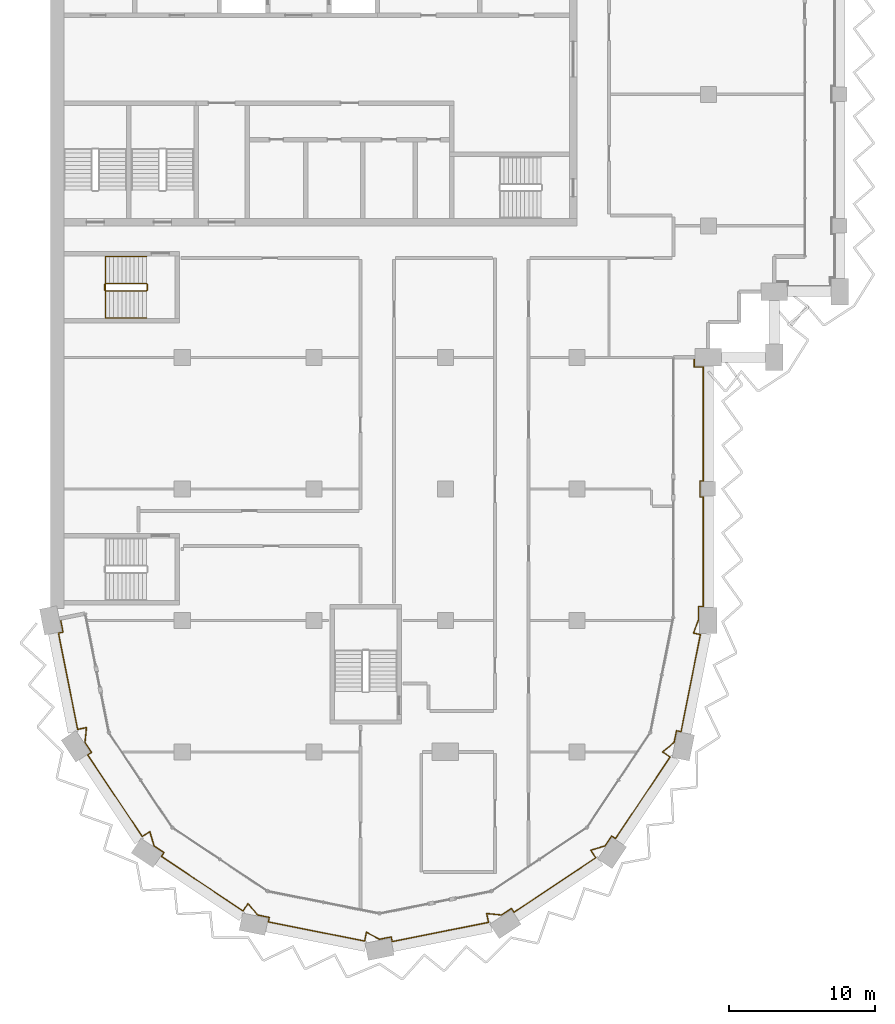
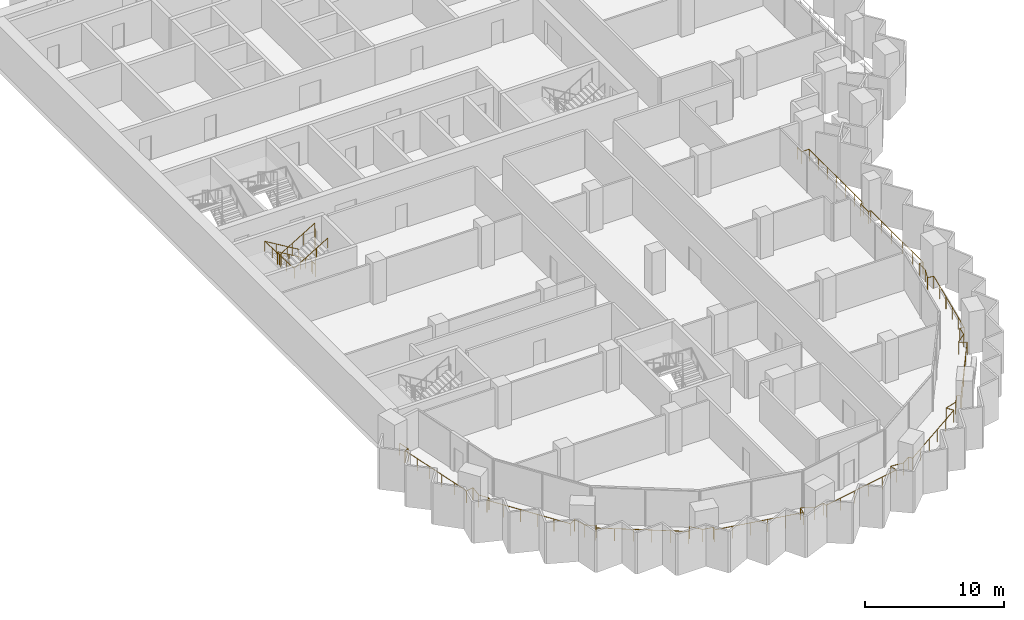
# One storey, part 15 of 17: 3 railings.
"""IFC4 building model written with IfcOpenShell, lengths in metres."""

from ifc_helpers import new_model, si_unit, direction, frame, origin, origin_2d, place, context, subcontext, project, spatial, circle, extrude, material, type_object, element, save


model = new_model("IFC4")

# Units and contexts
model_context = context("Model", 3, precision=1e-05, world=origin(), true_north=direction((0.0, 1.0)))
body_context = subcontext(model_context, "Body", "Model", "MODEL_VIEW")
ifc_project = project(units=[si_unit("LENGTHUNIT", "METRE"), si_unit("AREAUNIT", "SQUARE_METRE"), si_unit("VOLUMEUNIT", "CUBIC_METRE"), si_unit("PLANEANGLEUNIT", "RADIAN"), si_unit("MASSUNIT", "GRAM", prefix="KILO")], contexts=[model_context])

# Site, building, storey
site_placement = place(None, origin())
site = spatial("IfcSite", under=ifc_project, at=site_placement, CompositionType="ELEMENT")
building_placement = place(site_placement, origin())
building = spatial("IfcBuilding", under=site, at=building_placement, Name="Hunhe Ridgeline Campus", CompositionType="ELEMENT")
storey_placement = place(building_placement, frame((0.0, 0.0, 205.0)))
storey = spatial("IfcBuildingStorey", under=building, at=storey_placement, Name="L52", CompositionType="ELEMENT", Elevation=205.0)

# Railings
ifc_material_1 = material(Name="Steel Q355", Category="steel")
railing_type_1 = type_object("IfcRailingType", Name="Loggia guard 1100 Steel Q355", PredefinedType="GUARDRAIL", material=ifc_material_1)
railing_1_placement = place(storey_placement, frame((0.6572265625, 36.130615234375, 0.0)))
element("IfcRailing", 1, at=railing_1_placement, inside=storey, type_object=railing_type_1, Name="Loggia guard 1", PredefinedType="GUARDRAIL", context=body_context, shape_type="SweptSolid", body=[
    extrude(circle(Radius=0.02392578125, at=origin_2d()), frame((0.0, 0.0, 1.076171875), z_axis=(0.195078060519, -0.980787719287, 0.0), x_axis=(0.980787719287, 0.195078060519, 0.0)), (0.0, 0.0, 1.0), 0.949951171875),
    extrude(circle(Radius=0.02392578125, at=origin_2d()), frame((0.185302734375, -0.931640625, 1.076171875), z_axis=(-0.980756274917, -0.195236085831, 0.0), x_axis=(0.195236085831, -0.980756274917, 0.0)), (0.0, 0.0, 1.0), 0.320068359375),
    extrude(circle(Radius=0.02392578125, at=origin_2d()), frame((-0.128662109375, -0.994140625, 1.076171875), z_axis=(0.195081688297, -0.980786997717, 0.0), x_axis=(0.980786997717, 0.195081688297, 0.0)), (0.0, 0.0, 1.0), 6.718017578125),
    extrude(circle(Radius=0.02392578125, at=origin_2d()), frame((1.181884765625, -7.5830078125, 1.076171875), z_axis=(0.980747227858, 0.195281527671, 0.0), x_axis=(-0.195281527671, 0.980747227858, 0.0)), (0.0, 0.0, 1.0), 0.618896484375),
    extrude(circle(Radius=0.02392578125, at=origin_2d()), frame((1.788818359375, -7.462158203125, 1.076171875), z_axis=(-0.100047453171, -0.99498266674, 0.0), x_axis=(0.99498266674, -0.100047453171, 0.0)), (0.0, 0.0, 1.0), 1.0224609375),
    extrude(circle(Radius=0.02392578125, at=origin_2d()), frame((1.6865234375, -8.4794921875, 1.076171875), z_axis=(0.555596479569, -0.83145207432, 0.0), x_axis=(0.83145207432, 0.555596479569, 0.0)), (0.0, 0.0, 1.0), 0.81689453125),
    extrude(circle(Radius=0.02392578125, at=origin_2d()), frame((2.140380859375, -9.15869140625, 1.076171875), z_axis=(-0.831580508376, -0.555404229448, 0.0), x_axis=(0.555404229448, -0.831580508376, 0.0)), (0.0, 0.0, 1.0), 0.320068359375),
    extrude(circle(Radius=0.02392578125, at=origin_2d()), frame((1.874267578125, -9.33642578125, 1.076171875), z_axis=(0.555588848626, -0.831457173451, 0.0), x_axis=(0.831457173451, 0.555588848626, 0.0)), (0.0, 0.0, 1.0), 6.718017578125),
    extrude(circle(Radius=0.02392578125, at=origin_2d()), frame((5.606689453125, -14.922119140625, 1.076171875), z_axis=(0.831442704119, 0.555610501851, 0.0), x_axis=(-0.555610501851, 0.831442704119, 0.0)), (0.0, 0.0, 1.0), 0.61865234375),
    extrude(circle(Radius=0.02392578125, at=origin_2d()), frame((6.12109375, -14.578369140625, 1.076171875), z_axis=(0.28844300651, -0.957497066312, 0.0), x_axis=(0.957497066312, 0.28844300651, 0.0)), (0.0, 0.0, 1.0), 1.0224609375),
    extrude(circle(Radius=0.02392578125, at=origin_2d()), frame((6.416015625, -15.557373046875, 1.076171875), z_axis=(0.831359782977, -0.55573456906, 0.0), x_axis=(0.55573456906, 0.831359782977, 0.0)), (0.0, 0.0, 1.0), 0.816650390625),
    extrude(circle(Radius=0.02392578125, at=origin_2d()), frame((7.094970703125, -16.01123046875, 1.076171875), z_axis=(-0.555404229448, -0.831580508376, 0.0), x_axis=(0.831580508376, -0.555404229448, 0.0)), (0.0, 0.0, 1.0), 0.320068359375),
    extrude(circle(Radius=0.02392578125, at=origin_2d()), frame((6.917236328125, -16.27734375, 1.076171875), z_axis=(0.831473961305, -0.555563724222, 0.0), x_axis=(0.555563724222, 0.831473961305, 0.0)), (0.0, 0.0, 1.0), 6.7177734375),
    extrude(circle(Radius=0.02392578125, at=origin_2d()), frame((12.5029296875, -20.009521484375, 1.076171875), z_axis=(0.555610501851, 0.831442704119, 0.0), x_axis=(-0.831442704119, 0.555610501851, 0.0)), (0.0, 0.0, 1.0), 0.61865234375),
    extrude(circle(Radius=0.02392578125, at=origin_2d()), frame((12.8466796875, -19.4951171875, 1.076171875), z_axis=(0.63289971186, -0.774233785576, 0.0), x_axis=(0.774233785576, 0.63289971186, 0.0)), (0.0, 0.0, 1.0), 1.022705078125),
    extrude(circle(Radius=0.02392578125, at=origin_2d()), frame((13.493896484375, -20.286865234375, 1.076171875), z_axis=(0.980821383877, -0.194908729743, 0.0), x_axis=(0.194908729743, 0.980821383877, 0.0)), (0.0, 0.0, 1.0), 0.816650390625),
    extrude(circle(Radius=0.02392578125, at=origin_2d()), frame((14.294921875, -20.446044921875, 1.076171875), z_axis=(-0.195236085831, -0.980756274917, 0.0), x_axis=(0.980756274917, -0.195236085831, 0.0)), (0.0, 0.0, 1.0), 0.320068359375),
    extrude(circle(Radius=0.02392578125, at=origin_2d()), frame((14.232421875, -20.760009765625, 1.076171875), z_axis=(0.980786997717, -0.195081688297, 0.0), x_axis=(0.195081688297, 0.980786997717, 0.0)), (0.0, 0.0, 1.0), 6.718017578125),
    extrude(circle(Radius=0.02392578125, at=origin_2d()), frame((20.8212890625, -22.070556640625, 1.076171875), z_axis=(0.194902020226, 0.980822717168, 0.0), x_axis=(-0.980822717168, 0.194902020226, 0.0)), (0.0, 0.0, 1.0), 0.618896484375),
    extrude(circle(Radius=0.02392578125, at=origin_2d()), frame((20.94189453125, -21.463623046875, 1.076171875), z_axis=(0.880961256043, -0.473188403652, 0.0), x_axis=(0.473188403652, 0.880961256043, 0.0)), (0.0, 0.0, 1.0), 1.022705078125),
    extrude(circle(Radius=0.02392578125, at=origin_2d()), frame((21.8427734375, -21.947509765625, 1.076171875), z_axis=(0.980764196543, 0.195196287822, 0.0), x_axis=(-0.195196287822, 0.980764196543, 0.0)), (0.0, 0.0, 1.0), 0.816650390625),
    extrude(circle(Radius=0.02392578125, at=origin_2d()), frame((22.643798828125, -21.7880859375, 1.076171875), z_axis=(0.195236085831, -0.980756274917, 0.0), x_axis=(0.980756274917, 0.195236085831, 0.0)), (0.0, 0.0, 1.0), 0.320068359375),
    extrude(circle(Radius=0.02392578125, at=origin_2d()), frame((22.706298828125, -22.10205078125, 1.076171875), z_axis=(0.980786997717, 0.195081688297, 0.0), x_axis=(-0.195081688297, 0.980786997717, 0.0)), (0.0, 0.0, 1.0), 6.718017578125),
    extrude(circle(Radius=0.02392578125, at=origin_2d()), frame((29.295166015625, -20.79150390625, 1.076171875), z_axis=(-0.195281527671, 0.980747227858, 0.0), x_axis=(-0.980747227858, -0.195281527671, 0.0)), (0.0, 0.0, 1.0), 0.618896484375),
    extrude(circle(Radius=0.02392578125, at=origin_2d()), frame((29.17431640625, -20.1845703125, 1.076171875), z_axis=(0.99498266674, -0.100047453171, 0.0), x_axis=(0.100047453171, 0.99498266674, 0.0)), (0.0, 0.0, 1.0), 1.0224609375),
    extrude(circle(Radius=0.02392578125, at=origin_2d()), frame((30.191650390625, -20.286865234375, 1.076171875), z_axis=(0.83145207432, 0.555596479569, 0.0), x_axis=(-0.555596479569, 0.83145207432, 0.0)), (0.0, 0.0, 1.0), 0.81689453125),
    extrude(circle(Radius=0.02392578125, at=origin_2d()), frame((30.870849609375, -19.8330078125, 1.076171875), z_axis=(0.555404229448, -0.831580508376, 0.0), x_axis=(0.831580508376, 0.555404229448, 0.0)), (0.0, 0.0, 1.0), 0.320068359375),
    extrude(circle(Radius=0.02392578125, at=origin_2d()), frame((31.048583984375, -20.09912109375, 1.076171875), z_axis=(0.831457173451, 0.555588848626, 0.0), x_axis=(-0.555588848626, 0.831457173451, 0.0)), (0.0, 0.0, 1.0), 6.718017578125),
    extrude(circle(Radius=0.02392578125, at=origin_2d()), frame((36.63427734375, -16.36669921875, 1.076171875), z_axis=(-0.555610501851, 0.831442704119, 0.0), x_axis=(-0.831442704119, -0.555610501851, 0.0)), (0.0, 0.0, 1.0), 0.61865234375),
    extrude(circle(Radius=0.02392578125, at=origin_2d()), frame((36.29052734375, -15.852294921875, 1.076171875), z_axis=(0.957497066312, 0.28844300651, 0.0), x_axis=(-0.28844300651, 0.957497066312, 0.0)), (0.0, 0.0, 1.0), 1.0224609375),
    extrude(circle(Radius=0.02392578125, at=origin_2d()), frame((37.26953125, -15.557373046875, 1.076171875), z_axis=(0.55573456906, 0.831359782977, 0.0), x_axis=(-0.831359782977, 0.55573456906, 0.0)), (0.0, 0.0, 1.0), 0.816650390625),
    extrude(circle(Radius=0.02392578125, at=origin_2d()), frame((37.723388671875, -14.87841796875, 1.076171875), z_axis=(0.831580508376, -0.555404229448, 0.0), x_axis=(0.555404229448, 0.831580508376, 0.0)), (0.0, 0.0, 1.0), 0.320068359375),
    extrude(circle(Radius=0.02392578125, at=origin_2d()), frame((37.989501953125, -15.05615234375, 1.076171875), z_axis=(0.555563724222, 0.831473961305, 0.0), x_axis=(-0.831473961305, 0.555563724222, 0.0)), (0.0, 0.0, 1.0), 6.7177734375),
    extrude(circle(Radius=0.02392578125, at=origin_2d()), frame((41.7216796875, -9.470458984375, 1.076171875), z_axis=(-0.831442704119, 0.555610501851, 0.0), x_axis=(-0.555610501851, -0.831442704119, 0.0)), (0.0, 0.0, 1.0), 0.61865234375),
    extrude(circle(Radius=0.02392578125, at=origin_2d()), frame((41.207275390625, -9.126708984375, 1.076171875), z_axis=(0.774233785576, 0.63289971186, 0.0), x_axis=(-0.63289971186, 0.774233785576, 0.0)), (0.0, 0.0, 1.0), 1.022705078125),
    extrude(circle(Radius=0.02392578125, at=origin_2d()), frame((41.9990234375, -8.4794921875, 1.076171875), z_axis=(0.194908729743, 0.980821383877, 0.0), x_axis=(-0.980821383877, 0.194908729743, 0.0)), (0.0, 0.0, 1.0), 0.816650390625),
    extrude(circle(Radius=0.02392578125, at=origin_2d()), frame((42.158203125, -7.678466796875, 1.076171875), z_axis=(0.980756274917, -0.195236085831, 0.0), x_axis=(0.195236085831, 0.980756274917, 0.0)), (0.0, 0.0, 1.0), 0.320068359375),
    extrude(circle(Radius=0.02392578125, at=origin_2d()), frame((42.47216796875, -7.740966796875, 1.076171875), z_axis=(0.195084106665, 0.980786516693, 0.0), x_axis=(-0.980786516693, 0.195084106665, 0.0)), (0.0, 0.0, 1.0), 6.779296875),
    extrude(circle(Radius=0.02392578125, at=origin_2d()), frame((43.794677734375, -1.092041015625, 1.076171875), z_axis=(-0.980754922768, 0.195242878144, 0.0), x_axis=(-0.195242878144, -0.980754922768, 0.0)), (0.0, 0.0, 1.0), 0.48388671875),
    extrude(circle(Radius=0.02392578125, at=origin_2d()), frame((43.320068359375, -0.99755859375, 1.076171875), z_axis=(0.353724256779, 0.93534974751, 0.0), x_axis=(-0.93534974751, 0.353724256779, 0.0)), (0.0, 0.0, 1.0), 0.997314453125),
    extrude(circle(Radius=0.02392578125, at=origin_2d()), frame((43.6728515625, -0.064697265625, 1.076171875), z_axis=(0.0, 1.0, 0.0), x_axis=(-1.0, 0.0, 0.0)), (0.0, 0.0, 1.0), 0.884033203125),
    extrude(circle(Radius=0.02392578125, at=origin_2d()), frame((43.6728515625, 0.8193359375, 1.076171875), z_axis=(1.0, 0.0, 0.0), x_axis=(0.0, 1.0, 0.0)), (0.0, 0.0, 1.0), 0.31982421875),
    extrude(circle(Radius=0.02392578125, at=origin_2d()), frame((43.99267578125, 0.8193359375, 1.076171875), z_axis=(0.0, 1.0, 0.0), x_axis=(-1.0, 0.0, 0.0)), (0.0, 0.0, 1.0), 7.5),
    extrude(circle(Radius=0.02392578125, at=origin_2d()), frame((43.99267578125, 8.3193359375, 1.076171875), z_axis=(-1.0, 0.0, 0.0), x_axis=(0.0, -1.0, 0.0)), (0.0, 0.0, 1.0), 0.219970703125),
    extrude(circle(Radius=0.02392578125, at=origin_2d()), frame((43.772705078125, 8.3193359375, 1.076171875), z_axis=(0.0, 1.0, 0.0), x_axis=(-1.0, 0.0, 0.0)), (0.0, 0.0, 1.0), 1.10009765625),
    extrude(circle(Radius=0.02392578125, at=origin_2d()), frame((43.772705078125, 9.41943359375, 1.076171875), z_axis=(1.0, 0.0, 0.0), x_axis=(0.0, 1.0, 0.0)), (0.0, 0.0, 1.0), 0.219970703125),
    extrude(circle(Radius=0.02392578125, at=origin_2d()), frame((43.99267578125, 9.41943359375, 1.076171875), z_axis=(0.0, 1.0, 0.0), x_axis=(-1.0, 0.0, 0.0)), (0.0, 0.0, 1.0), 7.800048828125),
    extrude(circle(Radius=0.02392578125, at=origin_2d()), frame((43.99267578125, 17.219482421875, 1.076171875), z_axis=(-1.0, 0.0, 0.0), x_axis=(0.0, -1.0, 0.0)), (0.0, 0.0, 1.0), 0.619873046875),
    extrude(circle(Radius=0.02392578125, at=origin_2d()), frame((43.372802734375, 17.219482421875, 1.076171875), z_axis=(0.0, 1.0, 0.0), x_axis=(-1.0, 0.0, 0.0)), (0.0, 0.0, 1.0), 0.64990234375),
    extrude(circle(Radius=0.02099609375, at=origin_2d()), origin(), (0.0, 0.0, 1.0), 1.052001953125),
    extrude(circle(Radius=0.02099609375, at=origin_2d()), frame((0.185302734375, -0.931640625, 0.0)), (0.0, 0.0, 1.0), 1.052001953125),
    extrude(circle(Radius=0.02099609375, at=origin_2d()), frame((-0.128662109375, -0.994140625, 0.0)), (0.0, 0.0, 1.0), 1.052001953125),
    extrude(circle(Radius=0.02099609375, at=origin_2d()), frame((0.133544921875, -2.31201171875, 0.0)), (0.0, 0.0, 1.0), 1.052001953125),
    extrude(circle(Radius=0.02099609375, at=origin_2d()), frame((0.3955078125, -3.629638671875, 0.0)), (0.0, 0.0, 1.0), 1.052001953125),
    extrude(circle(Radius=0.02099609375, at=origin_2d()), frame((0.65771484375, -4.947509765625, 0.0)), (0.0, 0.0, 1.0), 1.052001953125),
    extrude(circle(Radius=0.02099609375, at=origin_2d()), frame((0.919677734375, -6.26513671875, 0.0)), (0.0, 0.0, 1.0), 1.052001953125),
    extrude(circle(Radius=0.02099609375, at=origin_2d()), frame((1.181884765625, -7.5830078125, 0.0)), (0.0, 0.0, 1.0), 1.052001953125),
    extrude(circle(Radius=0.02099609375, at=origin_2d()), frame((1.788818359375, -7.462158203125, 0.0)), (0.0, 0.0, 1.0), 1.052001953125),
    extrude(circle(Radius=0.02099609375, at=origin_2d()), frame((1.6865234375, -8.4794921875, 0.0)), (0.0, 0.0, 1.0), 1.052001953125),
    extrude(circle(Radius=0.02099609375, at=origin_2d()), frame((2.140380859375, -9.15869140625, 0.0)), (0.0, 0.0, 1.0), 1.052001953125),
    extrude(circle(Radius=0.02099609375, at=origin_2d()), frame((1.874267578125, -9.33642578125, 0.0)), (0.0, 0.0, 1.0), 1.052001953125),
    extrude(circle(Radius=0.02099609375, at=origin_2d()), frame((2.620849609375, -10.45361328125, 0.0)), (0.0, 0.0, 1.0), 1.052001953125),
    extrude(circle(Radius=0.02099609375, at=origin_2d()), frame((3.3671875, -11.57080078125, 0.0)), (0.0, 0.0, 1.0), 1.052001953125),
    extrude(circle(Radius=0.02099609375, at=origin_2d()), frame((4.11376953125, -12.687744140625, 0.0)), (0.0, 0.0, 1.0), 1.052001953125),
    extrude(circle(Radius=0.02099609375, at=origin_2d()), frame((4.860107421875, -13.804931640625, 0.0)), (0.0, 0.0, 1.0), 1.052001953125),
    extrude(circle(Radius=0.02099609375, at=origin_2d()), frame((5.606689453125, -14.922119140625, 0.0)), (0.0, 0.0, 1.0), 1.052001953125),
    extrude(circle(Radius=0.02099609375, at=origin_2d()), frame((6.12109375, -14.578369140625, 0.0)), (0.0, 0.0, 1.0), 1.052001953125),
    extrude(circle(Radius=0.02099609375, at=origin_2d()), frame((6.416015625, -15.557373046875, 0.0)), (0.0, 0.0, 1.0), 1.052001953125),
    extrude(circle(Radius=0.02099609375, at=origin_2d()), frame((7.094970703125, -16.01123046875, 0.0)), (0.0, 0.0, 1.0), 1.052001953125),
    extrude(circle(Radius=0.02099609375, at=origin_2d()), frame((6.917236328125, -16.27734375, 0.0)), (0.0, 0.0, 1.0), 1.052001953125),
    extrude(circle(Radius=0.02099609375, at=origin_2d()), frame((8.034423828125, -17.023681640625, 0.0)), (0.0, 0.0, 1.0), 1.052001953125),
    extrude(circle(Radius=0.02099609375, at=origin_2d()), frame((9.151611328125, -17.770263671875, 0.0)), (0.0, 0.0, 1.0), 1.052001953125),
    extrude(circle(Radius=0.02099609375, at=origin_2d()), frame((10.2685546875, -18.5166015625, 0.0)), (0.0, 0.0, 1.0), 1.052001953125),
    extrude(circle(Radius=0.02099609375, at=origin_2d()), frame((11.3857421875, -19.26318359375, 0.0)), (0.0, 0.0, 1.0), 1.052001953125),
    extrude(circle(Radius=0.02099609375, at=origin_2d()), frame((12.5029296875, -20.009521484375, 0.0)), (0.0, 0.0, 1.0), 1.052001953125),
    extrude(circle(Radius=0.02099609375, at=origin_2d()), frame((12.8466796875, -19.4951171875, 0.0)), (0.0, 0.0, 1.0), 1.052001953125),
    extrude(circle(Radius=0.02099609375, at=origin_2d()), frame((13.493896484375, -20.286865234375, 0.0)), (0.0, 0.0, 1.0), 1.052001953125),
    extrude(circle(Radius=0.02099609375, at=origin_2d()), frame((14.294921875, -20.446044921875, 0.0)), (0.0, 0.0, 1.0), 1.052001953125),
    extrude(circle(Radius=0.02099609375, at=origin_2d()), frame((14.232421875, -20.760009765625, 0.0)), (0.0, 0.0, 1.0), 1.052001953125),
    extrude(circle(Radius=0.02099609375, at=origin_2d()), frame((15.55029296875, -21.022216796875, 0.0)), (0.0, 0.0, 1.0), 1.052001953125),
    extrude(circle(Radius=0.02099609375, at=origin_2d()), frame((16.867919921875, -21.2841796875, 0.0)), (0.0, 0.0, 1.0), 1.052001953125),
    extrude(circle(Radius=0.02099609375, at=origin_2d()), frame((18.185791015625, -21.54638671875, 0.0)), (0.0, 0.0, 1.0), 1.052001953125),
    extrude(circle(Radius=0.02099609375, at=origin_2d()), frame((19.50341796875, -21.808349609375, 0.0)), (0.0, 0.0, 1.0), 1.052001953125),
    extrude(circle(Radius=0.02099609375, at=origin_2d()), frame((20.8212890625, -22.070556640625, 0.0)), (0.0, 0.0, 1.0), 1.052001953125),
    extrude(circle(Radius=0.02099609375, at=origin_2d()), frame((20.94189453125, -21.463623046875, 0.0)), (0.0, 0.0, 1.0), 1.052001953125),
    extrude(circle(Radius=0.02099609375, at=origin_2d()), frame((21.8427734375, -21.947509765625, 0.0)), (0.0, 0.0, 1.0), 1.052001953125),
    extrude(circle(Radius=0.02099609375, at=origin_2d()), frame((22.643798828125, -21.7880859375, 0.0)), (0.0, 0.0, 1.0), 1.052001953125),
    extrude(circle(Radius=0.02099609375, at=origin_2d()), frame((22.706298828125, -22.10205078125, 0.0)), (0.0, 0.0, 1.0), 1.052001953125),
    extrude(circle(Radius=0.02099609375, at=origin_2d()), frame((24.024169921875, -21.83984375, 0.0)), (0.0, 0.0, 1.0), 1.052001953125),
    extrude(circle(Radius=0.02099609375, at=origin_2d()), frame((25.341796875, -21.577880859375, 0.0)), (0.0, 0.0, 1.0), 1.052001953125),
    extrude(circle(Radius=0.02099609375, at=origin_2d()), frame((26.65966796875, -21.315673828125, 0.0)), (0.0, 0.0, 1.0), 1.052001953125),
    extrude(circle(Radius=0.02099609375, at=origin_2d()), frame((27.977294921875, -21.0537109375, 0.0)), (0.0, 0.0, 1.0), 1.052001953125),
    extrude(circle(Radius=0.02099609375, at=origin_2d()), frame((29.295166015625, -20.79150390625, 0.0)), (0.0, 0.0, 1.0), 1.052001953125),
    extrude(circle(Radius=0.02099609375, at=origin_2d()), frame((29.17431640625, -20.1845703125, 0.0)), (0.0, 0.0, 1.0), 1.052001953125),
    extrude(circle(Radius=0.02099609375, at=origin_2d()), frame((30.191650390625, -20.286865234375, 0.0)), (0.0, 0.0, 1.0), 1.052001953125),
    extrude(circle(Radius=0.02099609375, at=origin_2d()), frame((30.870849609375, -19.8330078125, 0.0)), (0.0, 0.0, 1.0), 1.052001953125),
    extrude(circle(Radius=0.02099609375, at=origin_2d()), frame((31.048583984375, -20.09912109375, 0.0)), (0.0, 0.0, 1.0), 1.052001953125),
    extrude(circle(Radius=0.02099609375, at=origin_2d()), frame((32.165771484375, -19.3525390625, 0.0)), (0.0, 0.0, 1.0), 1.052001953125),
    extrude(circle(Radius=0.02099609375, at=origin_2d()), frame((33.282958984375, -18.606201171875, 0.0)), (0.0, 0.0, 1.0), 1.052001953125),
    extrude(circle(Radius=0.02099609375, at=origin_2d()), frame((34.39990234375, -17.859619140625, 0.0)), (0.0, 0.0, 1.0), 1.052001953125),
    extrude(circle(Radius=0.02099609375, at=origin_2d()), frame((35.51708984375, -17.11328125, 0.0)), (0.0, 0.0, 1.0), 1.052001953125),
    extrude(circle(Radius=0.02099609375, at=origin_2d()), frame((36.63427734375, -16.36669921875, 0.0)), (0.0, 0.0, 1.0), 1.052001953125),
    extrude(circle(Radius=0.02099609375, at=origin_2d()), frame((36.29052734375, -15.852294921875, 0.0)), (0.0, 0.0, 1.0), 1.052001953125),
    extrude(circle(Radius=0.02099609375, at=origin_2d()), frame((37.26953125, -15.557373046875, 0.0)), (0.0, 0.0, 1.0), 1.052001953125),
    extrude(circle(Radius=0.02099609375, at=origin_2d()), frame((37.723388671875, -14.87841796875, 0.0)), (0.0, 0.0, 1.0), 1.052001953125),
    extrude(circle(Radius=0.02099609375, at=origin_2d()), frame((37.989501953125, -15.05615234375, 0.0)), (0.0, 0.0, 1.0), 1.052001953125),
    extrude(circle(Radius=0.02099609375, at=origin_2d()), frame((38.73583984375, -13.93896484375, 0.0)), (0.0, 0.0, 1.0), 1.052001953125),
    extrude(circle(Radius=0.02099609375, at=origin_2d()), frame((39.482421875, -12.82177734375, 0.0)), (0.0, 0.0, 1.0), 1.052001953125),
    extrude(circle(Radius=0.02099609375, at=origin_2d()), frame((40.228759765625, -11.704833984375, 0.0)), (0.0, 0.0, 1.0), 1.052001953125),
    extrude(circle(Radius=0.02099609375, at=origin_2d()), frame((40.975341796875, -10.587646484375, 0.0)), (0.0, 0.0, 1.0), 1.052001953125),
    extrude(circle(Radius=0.02099609375, at=origin_2d()), frame((41.7216796875, -9.470458984375, 0.0)), (0.0, 0.0, 1.0), 1.052001953125),
    extrude(circle(Radius=0.02099609375, at=origin_2d()), frame((41.207275390625, -9.126708984375, 0.0)), (0.0, 0.0, 1.0), 1.052001953125),
    extrude(circle(Radius=0.02099609375, at=origin_2d()), frame((41.9990234375, -8.4794921875, 0.0)), (0.0, 0.0, 1.0), 1.052001953125),
    extrude(circle(Radius=0.02099609375, at=origin_2d()), frame((42.158203125, -7.678466796875, 0.0)), (0.0, 0.0, 1.0), 1.052001953125),
    extrude(circle(Radius=0.02099609375, at=origin_2d()), frame((42.47216796875, -7.740966796875, 0.0)), (0.0, 0.0, 1.0), 1.052001953125),
    extrude(circle(Radius=0.02099609375, at=origin_2d()), frame((42.736572265625, -6.4111328125, 0.0)), (0.0, 0.0, 1.0), 1.052001953125),
    extrude(circle(Radius=0.02099609375, at=origin_2d()), frame((43.001220703125, -5.081298828125, 0.0)), (0.0, 0.0, 1.0), 1.052001953125),
    extrude(circle(Radius=0.02099609375, at=origin_2d()), frame((43.265625, -3.751708984375, 0.0)), (0.0, 0.0, 1.0), 1.052001953125),
    extrude(circle(Radius=0.02099609375, at=origin_2d()), frame((43.5302734375, -2.421875, 0.0)), (0.0, 0.0, 1.0), 1.052001953125),
    extrude(circle(Radius=0.02099609375, at=origin_2d()), frame((43.794677734375, -1.092041015625, 0.0)), (0.0, 0.0, 1.0), 1.052001953125),
    extrude(circle(Radius=0.02099609375, at=origin_2d()), frame((43.320068359375, -0.99755859375, 0.0)), (0.0, 0.0, 1.0), 1.052001953125),
    extrude(circle(Radius=0.02099609375, at=origin_2d()), frame((43.6728515625, -0.064697265625, 0.0)), (0.0, 0.0, 1.0), 1.052001953125),
    extrude(circle(Radius=0.02099609375, at=origin_2d()), frame((43.6728515625, 0.8193359375, 0.0)), (0.0, 0.0, 1.0), 1.052001953125),
    extrude(circle(Radius=0.02099609375, at=origin_2d()), frame((43.99267578125, 0.8193359375, 0.0)), (0.0, 0.0, 1.0), 1.052001953125),
    extrude(circle(Radius=0.02099609375, at=origin_2d()), frame((43.99267578125, 2.3193359375, 0.0)), (0.0, 0.0, 1.0), 1.052001953125),
    extrude(circle(Radius=0.02099609375, at=origin_2d()), frame((43.99267578125, 3.8193359375, 0.0)), (0.0, 0.0, 1.0), 1.052001953125),
    extrude(circle(Radius=0.02099609375, at=origin_2d()), frame((43.99267578125, 5.3193359375, 0.0)), (0.0, 0.0, 1.0), 1.052001953125),
    extrude(circle(Radius=0.02099609375, at=origin_2d()), frame((43.99267578125, 6.8193359375, 0.0)), (0.0, 0.0, 1.0), 1.052001953125),
    extrude(circle(Radius=0.02099609375, at=origin_2d()), frame((43.99267578125, 8.3193359375, 0.0)), (0.0, 0.0, 1.0), 1.052001953125),
    extrude(circle(Radius=0.02099609375, at=origin_2d()), frame((43.772705078125, 8.3193359375, 0.0)), (0.0, 0.0, 1.0), 1.052001953125),
    extrude(circle(Radius=0.02099609375, at=origin_2d()), frame((43.772705078125, 9.41943359375, 0.0)), (0.0, 0.0, 1.0), 1.052001953125),
    extrude(circle(Radius=0.02099609375, at=origin_2d()), frame((43.99267578125, 9.41943359375, 0.0)), (0.0, 0.0, 1.0), 1.052001953125),
    extrude(circle(Radius=0.02099609375, at=origin_2d()), frame((43.99267578125, 10.719482421875, 0.0)), (0.0, 0.0, 1.0), 1.052001953125),
    extrude(circle(Radius=0.02099609375, at=origin_2d()), frame((43.99267578125, 12.01953125, 0.0)), (0.0, 0.0, 1.0), 1.052001953125),
    extrude(circle(Radius=0.02099609375, at=origin_2d()), frame((43.99267578125, 13.3193359375, 0.0)), (0.0, 0.0, 1.0), 1.052001953125),
    extrude(circle(Radius=0.02099609375, at=origin_2d()), frame((43.99267578125, 14.619384765625, 0.0)), (0.0, 0.0, 1.0), 1.052001953125),
    extrude(circle(Radius=0.02099609375, at=origin_2d()), frame((43.99267578125, 15.91943359375, 0.0)), (0.0, 0.0, 1.0), 1.052001953125),
    extrude(circle(Radius=0.02099609375, at=origin_2d()), frame((43.99267578125, 17.219482421875, 0.0)), (0.0, 0.0, 1.0), 1.052001953125),
    extrude(circle(Radius=0.02099609375, at=origin_2d()), frame((43.372802734375, 17.219482421875, 0.0)), (0.0, 0.0, 1.0), 1.052001953125),
    extrude(circle(Radius=0.02099609375, at=origin_2d()), frame((43.372802734375, 17.869384765625, 0.0)), (0.0, 0.0, 1.0), 1.052001953125),
])
ifc_material_2 = material(Name="Stainless steel balustrade", Category="steel")
railing_type_2 = type_object("IfcRailingType", Name="Stair guard 1100 stainless", PredefinedType="GUARDRAIL", material=ifc_material_2)
railing_2_placement = place(storey_placement, frame((6.550048828125, 59.050048828125, 0.168212890625)))
element("IfcRailing", 2, at=railing_2_placement, inside=storey, type_object=railing_type_2, Name="L52 stair W2 guard", PredefinedType="GUARDRAIL", context=body_context, shape_type="SweptSolid", body=[
    extrude(circle(Radius=0.02392578125, at=origin_2d()), frame((0.0, 0.0, 1.076171875), z_axis=(-0.857242210791, 0.0, 0.514913383045), x_axis=(0.0, -1.0, 0.0)), (0.0, 0.0, 1.0), 3.266357421875),
    extrude(circle(Radius=0.02392578125, at=origin_2d()), frame((-2.800048828125, 0.0, 2.7578125), z_axis=(-0.707106781187, -0.707106781187, 0.0), x_axis=(0.707106781187, -0.707106781187, 0.0)), (0.0, 0.0, 1.0), 0.07080078125),
    extrude(circle(Radius=0.02392578125, at=origin_2d()), frame((-2.85009765625, -0.050048828125, 2.7578125), z_axis=(0.0, -1.0, 0.0), x_axis=(1.0, 0.0, 0.0)), (0.0, 0.0, 1.0), 0.39990234375),
    extrude(circle(Radius=0.02392578125, at=origin_2d()), frame((-2.85009765625, -0.449951171875, 2.7578125), z_axis=(0.274582412415, -0.274582412415, 0.921525364591), x_axis=(0.707106781187, 0.707106781187, 0.0)), (0.0, 0.0, 1.0), 0.182373046875),
    extrude(circle(Radius=0.02392578125, at=origin_2d()), frame((-2.800048828125, -0.5, 2.92578125), z_axis=(0.857242210791, 0.0, 0.514913383045), x_axis=(0.0, 1.0, 0.0)), (0.0, 0.0, 1.0), 3.266357421875),
    extrude(circle(Radius=0.02392578125, at=origin_2d()), frame((0.0, -0.5, 4.60791015625), z_axis=(0.013524414389, 0.013524414389, -0.999817073484), x_axis=(-0.707106781187, 0.707106781187, 0.0)), (0.0, 0.0, 1.0), 3.70068359375),
    extrude(circle(Radius=0.02392578125, at=origin_2d()), frame((0.050048828125, -0.449951171875, 0.90771484375), z_axis=(0.0, 1.0, 0.0), x_axis=(-1.0, 0.0, 0.0)), (0.0, 0.0, 1.0), 0.39990234375),
    extrude(circle(Radius=0.02099609375, at=origin_2d()), origin(), (0.0, 0.0, 1.0), 1.052001953125),
    extrude(circle(Radius=0.02099609375, at=origin_2d()), frame((-0.933349609375, 0.0, 0.560546875)), (0.0, 0.0, 1.0), 1.052001953125),
    extrude(circle(Radius=0.02099609375, at=origin_2d()), frame((-1.86669921875, 0.0, 1.121337890625)), (0.0, 0.0, 1.0), 1.052001953125),
    extrude(circle(Radius=0.02099609375, at=origin_2d()), frame((-2.800048828125, 0.0, 1.681884765625)), (0.0, 0.0, 1.0), 1.052001953125),
    extrude(circle(Radius=0.02099609375, at=origin_2d()), frame((-2.85009765625, -0.050048828125, 1.681884765625)), (0.0, 0.0, 1.0), 1.052001953125),
    extrude(circle(Radius=0.02099609375, at=origin_2d()), frame((-2.85009765625, -0.449951171875, 1.681884765625)), (0.0, 0.0, 1.0), 1.052001953125),
    extrude(circle(Radius=0.02099609375, at=origin_2d()), frame((-2.800048828125, -0.5, 1.849853515625)), (0.0, 0.0, 1.0), 1.052001953125),
    extrude(circle(Radius=0.02099609375, at=origin_2d()), frame((-1.86669921875, -0.5, 2.410400390625)), (0.0, 0.0, 1.0), 1.052001953125),
    extrude(circle(Radius=0.02099609375, at=origin_2d()), frame((-0.933349609375, -0.5, 2.97119140625)), (0.0, 0.0, 1.0), 1.052001953125),
    extrude(circle(Radius=0.02099609375, at=origin_2d()), frame((0.0, -0.5, 3.53173828125)), (0.0, 0.0, 1.0), 1.052001953125),
    extrude(circle(Radius=0.02099609375, at=origin_2d()), frame((0.012451171875, -0.487548828125, 2.606689453125)), (0.0, 0.0, 1.0), 1.052001953125),
    extrude(circle(Radius=0.02099609375, at=origin_2d()), frame((0.02490234375, -0.47509765625, 1.681640625)), (0.0, 0.0, 1.0), 1.052001953125),
    extrude(circle(Radius=0.02099609375, at=origin_2d()), frame((0.03759765625, -0.46240234375, 0.7568359375)), (0.0, 0.0, 1.0), 1.052001953125),
    extrude(circle(Radius=0.02099609375, at=origin_2d()), frame((0.050048828125, -0.449951171875, -0.168212890625)), (0.0, 0.0, 1.0), 1.052001953125),
    extrude(circle(Radius=0.02099609375, at=origin_2d()), frame((0.050048828125, -0.050048828125, -0.168212890625)), (0.0, 0.0, 1.0), 1.052001953125),
])
ifc_material_3 = material(Name="Stainless steel handrail", Category="steel")
railing_type_3 = type_object("IfcRailingType", Name="Stair handrail 900 stainless", PredefinedType="HANDRAIL", material=ifc_material_3)
railing_3_placement = place(storey_placement, frame((6.550048828125, 60.89990234375, 0.168212890625)))
element("IfcRailing", 3, at=railing_3_placement, inside=storey, type_object=railing_type_3, Name="L52 stair W2 handrail", PredefinedType="HANDRAIL", context=body_context, shape_type="SweptSolid", body=[
    extrude(circle(Radius=0.02392578125, at=origin_2d()), frame((0.0, 0.0, 0.8759765625), z_axis=(-0.857242210791, 0.0, 0.514913383045), x_axis=(0.0, -1.0, 0.0)), (0.0, 0.0, 1.0), 3.266357421875),
    extrude(circle(Radius=0.02392578125, at=origin_2d()), frame((-2.800048828125, 0.0, 2.5576171875), z_axis=(0.0, -0.99920123705, 0.039961079526), x_axis=(1.0, 0.0, 0.0)), (0.0, 0.0, 1.0), 4.203369140625),
    extrude(circle(Radius=0.02392578125, at=origin_2d()), frame((-2.800048828125, -4.199951171875, 2.7255859375), z_axis=(0.857242210791, 0.0, 0.514913383045), x_axis=(0.0, 1.0, 0.0)), (0.0, 0.0, 1.0), 3.266357421875),
    extrude(circle(Radius=0.02099609375, at=origin_2d()), origin(), (0.0, 0.0, 1.0), 0.851806640625),
    extrude(circle(Radius=0.02099609375, at=origin_2d()), frame((-0.933349609375, 0.0, 0.560546875)), (0.0, 0.0, 1.0), 0.851806640625),
    extrude(circle(Radius=0.02099609375, at=origin_2d()), frame((-1.86669921875, 0.0, 1.121337890625)), (0.0, 0.0, 1.0), 0.851806640625),
    extrude(circle(Radius=0.02099609375, at=origin_2d()), frame((-2.800048828125, 0.0, 1.681884765625)), (0.0, 0.0, 1.0), 0.851806640625),
    extrude(circle(Radius=0.02099609375, at=origin_2d()), frame((-2.800048828125, -1.050048828125, 1.723876953125)), (0.0, 0.0, 1.0), 0.851806640625),
    extrude(circle(Radius=0.02099609375, at=origin_2d()), frame((-2.800048828125, -2.10009765625, 1.765869140625)), (0.0, 0.0, 1.0), 0.851806640625),
    extrude(circle(Radius=0.02099609375, at=origin_2d()), frame((-2.800048828125, -3.14990234375, 1.807861328125)), (0.0, 0.0, 1.0), 0.851806640625),
    extrude(circle(Radius=0.02099609375, at=origin_2d()), frame((-2.800048828125, -4.199951171875, 1.849853515625)), (0.0, 0.0, 1.0), 0.851806640625),
    extrude(circle(Radius=0.02099609375, at=origin_2d()), frame((-1.86669921875, -4.199951171875, 2.410400390625)), (0.0, 0.0, 1.0), 0.851806640625),
    extrude(circle(Radius=0.02099609375, at=origin_2d()), frame((-0.933349609375, -4.199951171875, 2.97119140625)), (0.0, 0.0, 1.0), 0.851806640625),
    extrude(circle(Radius=0.02099609375, at=origin_2d()), frame((0.0, -4.199951171875, 3.53173828125)), (0.0, 0.0, 1.0), 0.851806640625),
])

save(model, "model.ifc")
